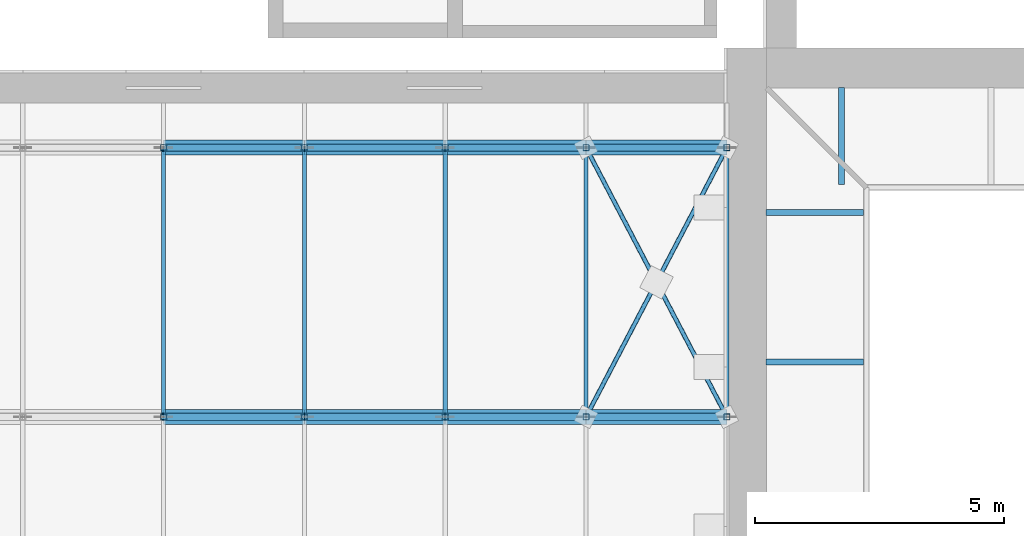
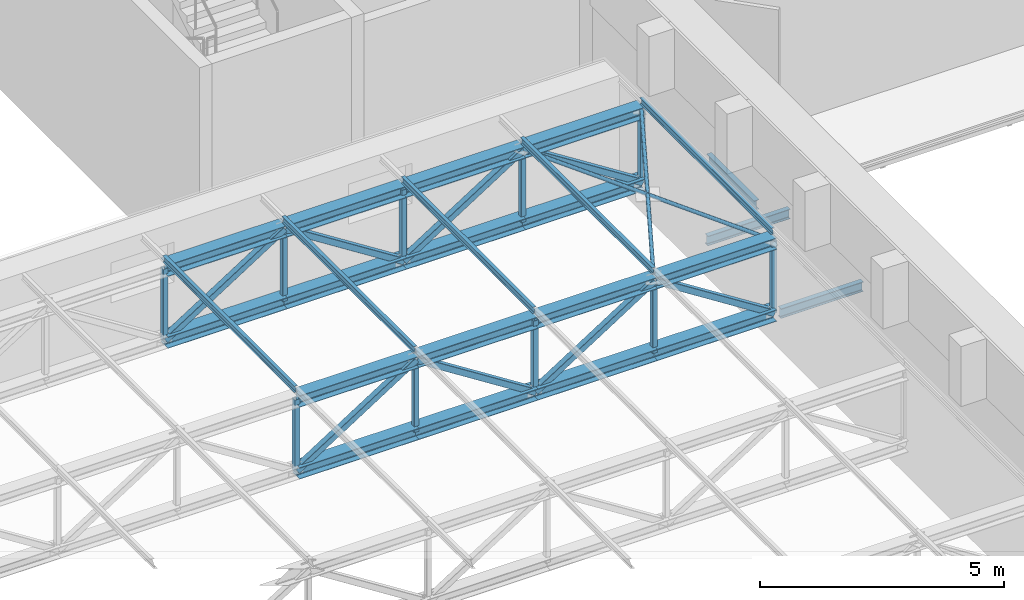
# One storey, part 37 of 132: 45 members.
"""IFC4 building model written with IfcOpenShell, lengths in metres."""

import ifcopenshell
import ifcopenshell.guid

model = None  # the IFC model being written
_history = None  # IfcOwnerHistory: only IFC2X3 demands one
_inside = {}  # id of a spatial element -> (the spatial element, [elements in it])
_under = {}  # id of a project, library or spatial element -> (it, [spatial elements below it])
_declared = {}  # id of a project -> (the project, [libraries it declares])
_typed = {}  # id of a type object -> (the type object, [elements of that type])
_made_of = {}  # id of a material, layer set ... -> (it, [elements and type objects made of it])


def new_model(schema):
    """Start an empty IFC model of exactly this schema.

    Asked for "IFC4X3", IfcOpenShell would pick the latest addendum, in which some entities
    have other attributes; the version numbers below select the first issue.
    IFC2X3 requires an IfcOwnerHistory on every rooted entity: one is made here for all.
    """
    global model, _history
    if schema == "IFC4X3":
        model = ifcopenshell.file(schema_version=(4, 3, 0, 0))
    else:
        model = ifcopenshell.file(schema=schema)
    _inside.clear()
    _under.clear()
    _declared.clear()
    _typed.clear()
    _made_of.clear()
    _history = None
    if model.schema == "IFC2X3":
        org = make("IfcOrganization", Name="unknown")
        user = make(
            "IfcPersonAndOrganization",
            ThePerson=make("IfcPerson", FamilyName="unknown"),
            TheOrganization=org,
        )
        app = make(
            "IfcApplication",
            ApplicationDeveloper=org,
            Version="unknown",
            ApplicationFullName="unknown",
            ApplicationIdentifier="unknown",
        )
        _history = make(
            "IfcOwnerHistory",
            OwningUser=user,
            OwningApplication=app,
            ChangeAction="ADDED",
            CreationDate=0,
        )
    return model


def make(cls, **values):
    """One entity of the class cls with the attributes given. An attribute that is None is left unset."""
    return model.create_entity(
        cls, **{name: value for name, value in values.items() if value is not None}
    )


def rooted(cls, **values):
    """An entity with a GlobalId (a new one), such as an element, a storey or a relation."""
    return make(cls, GlobalId=ifcopenshell.guid.new(), OwnerHistory=_history, **values)


def si_unit(unit_type, name, prefix=None):
    """IfcSIUnit, for example si_unit("LENGTHUNIT", "METRE", prefix="MILLI")."""
    return make("IfcSIUnit", UnitType=unit_type, Prefix=prefix, Name=name)


def assignment(units):
    """IfcUnitAssignment: the units of a project."""
    return None if units is None else make("IfcUnitAssignment", Units=units)


def point(xyz):
    """IfcCartesianPoint."""
    return None if xyz is None else make("IfcCartesianPoint", Coordinates=xyz)


def direction(xyz):
    """IfcDirection."""
    return None if xyz is None else make("IfcDirection", DirectionRatios=xyz)


def frame(location, z_axis=None, x_axis=None):
    """IfcAxis2Placement3D, a coordinate frame: its origin and axes. An axis left out is left unset."""
    return make(
        "IfcAxis2Placement3D",
        Location=point(location),
        Axis=direction(z_axis),
        RefDirection=direction(x_axis),
    )


def frame_2d(location, x_axis=None):
    """IfcAxis2Placement2D, a coordinate frame in the plane: its origin and x axis."""
    return make(
        "IfcAxis2Placement2D", Location=point(location), RefDirection=direction(x_axis)
    )


def origin():
    """The frame at (0, 0, 0) with its axes left unset."""
    return frame((0.0, 0.0, 0.0))


def origin_2d():
    """The frame at (0, 0) in the plane with its x axis left unset."""
    return frame_2d((0.0, 0.0))


def place(relative_to, where):
    """IfcLocalPlacement: puts the frame where relative to a parent placement (None: the world)."""
    return make(
        "IfcLocalPlacement", PlacementRelTo=relative_to, RelativePlacement=where
    )


def context(
    kind, dimensions, precision=None, world=None, true_north=None, identifier=None
):
    """IfcGeometricRepresentationContext, for example the 3D "Model" context."""
    return make(
        "IfcGeometricRepresentationContext",
        ContextIdentifier=identifier,
        ContextType=kind,
        CoordinateSpaceDimension=dimensions,
        Precision=precision,
        WorldCoordinateSystem=world,
        TrueNorth=true_north,
    )


def subcontext(parent, identifier, kind, view, scale=None):
    """IfcGeometricRepresentationSubContext, for example "Body" below "Model"."""
    return make(
        "IfcGeometricRepresentationSubContext",
        ContextIdentifier=identifier,
        ContextType=kind,
        ParentContext=parent,
        TargetScale=scale,
        TargetView=view,
    )


def project(units=None, contexts=None):
    """IfcProject with its units and contexts."""
    return rooted(
        "IfcProject",
        Name="project",
        RepresentationContexts=contexts,
        UnitsInContext=assignment(units),
    )


def spatial(cls, under=None, at=None, **own):
    """A site, building, storey or space (cls), placed at a placement, below another one or the project."""
    s = rooted(cls, ObjectPlacement=at, **own)
    if under is not None:
        _under.setdefault(under.id(), (under, []))[1].append(s)
    return s


def profile(cls, at=None, kind="AREA", **sizes):
    """A parametric profile (cls). Its sizes go by their IFC names, for example OverallWidth=200.0."""
    return make(cls, ProfileType=kind, Position=at, **sizes)


def hollow_rectangle(**sizes):
    """IfcRectangleHollowProfileDef."""
    return profile("IfcRectangleHollowProfileDef", **sizes)


def hollow_circle(**sizes):
    """IfcCircleHollowProfileDef."""
    return profile("IfcCircleHollowProfileDef", **sizes)


def i_section(**sizes):
    """IfcIShapeProfileDef."""
    return profile("IfcIShapeProfileDef", **sizes)


def extrude(swept, where, along, depth):
    """IfcExtrudedAreaSolid: the profile swept, set in the frame where, extruded along a direction by depth."""
    return make(
        "IfcExtrudedAreaSolid",
        SweptArea=swept,
        Position=where,
        ExtrudedDirection=direction(along),
        Depth=depth,
    )


def shape(context_of_items, identifier, shape_type, items):
    """IfcShapeRepresentation: the items that make up one representation, for example the "Body"."""
    return make(
        "IfcShapeRepresentation",
        ContextOfItems=context_of_items,
        RepresentationIdentifier=identifier,
        RepresentationType=shape_type,
        Items=items,
    )


def material(Name=None, Category=None):
    """IfcMaterial."""
    return make("IfcMaterial", Name=Name, Category=Category)


def material_profile(
    of_material, cross_section, Name=None, Category=None, Priority=None
):
    """IfcMaterialProfile: a cross section and its material."""
    return make(
        "IfcMaterialProfile",
        Name=Name,
        Material=of_material,
        Profile=cross_section,
        Priority=Priority,
        Category=Category,
    )


def profile_set(profiles, Name=None, composite=None):
    """IfcMaterialProfileSet."""
    return make(
        "IfcMaterialProfileSet",
        Name=Name,
        MaterialProfiles=profiles,
        CompositeProfile=composite,
    )


def made_of(thing, what):
    """Note that an element or type object is made of a material, layer set ...; save() writes the relation."""
    if what is not None:
        _made_of.setdefault(what.id(), (what, []))[1].append(thing)
    return thing


def type_object(cls, material=None, **own):
    """A type object (cls), such as IfcWallType, which elements share."""
    return made_of(rooted(cls, **own), material)


def element(
    cls,
    number,
    at=None,
    inside=None,
    cuts=None,
    type_object=None,
    material=None,
    context=None,
    identifier="Body",
    shape_type=None,
    held_by="IfcProductDefinitionShape",
    body=None,
    shapes=None,
    **own,
):
    """One element of the class cls, such as IfcWall. Its Tag is "e" and its number.

    at: its placement. inside: the storey or other place that contains it. cuts: it is an
    opening in that element (IfcRelVoidsElement). A single representation is given by context,
    identifier, shape_type and body (its items); several are given by shapes. held_by: the class
    of the entity that holds the representations. save() writes the other relations.
    """
    e = rooted(cls, Tag="e%d" % number, ObjectPlacement=at, **own)
    if body is not None:
        shapes = [shape(context, identifier, shape_type, body)]
    if shapes is not None:
        e.Representation = make(held_by, Representations=shapes)
    if inside is not None:
        _inside.setdefault(inside.id(), (inside, []))[1].append(e)
    if cuts is not None:
        rooted(
            "IfcRelVoidsElement", RelatingBuildingElement=cuts, RelatedOpeningElement=e
        )
    if type_object is not None:
        _typed.setdefault(type_object.id(), (type_object, []))[1].append(e)
    return made_of(e, material)


def aggregate(whole, parts):
    """IfcRelAggregates: a whole, such as a stair, and the parts it consists of."""
    return rooted("IfcRelAggregates", RelatingObject=whole, RelatedObjects=parts)


def save(model, path):
    """Write the relations noted so far, then the file.

    IfcRelAggregates (storeys below a building ...), IfcRelContainedInSpatialStructure (elements
    in a storey), IfcRelDefinesByType, IfcRelAssociatesMaterial and IfcRelDeclares: one each for
    every whole, place, type object, material and project.
    """
    for whole, parts in _under.values():
        aggregate(whole, parts)
    for where, things in _inside.values():
        rooted(
            "IfcRelContainedInSpatialStructure",
            RelatedElements=things,
            RelatingStructure=where,
        )
    for kind, things in _typed.values():
        rooted("IfcRelDefinesByType", RelatedObjects=things, RelatingType=kind)
    for what, things in _made_of.values():
        rooted("IfcRelAssociatesMaterial", RelatedObjects=things, RelatingMaterial=what)
    for by, libraries in _declared.values():
        rooted("IfcRelDeclares", RelatingContext=by, RelatedDefinitions=libraries)
    model.write(path)


model = new_model("IFC4")

# Units and contexts
model_context = context("Model", 3, precision=1e-05, world=origin(), true_north=direction((0.0, 1.0)))
body_context = subcontext(model_context, "Body", "Model", "MODEL_VIEW")
ifc_project = project(units=[si_unit("LENGTHUNIT", "METRE"), si_unit("AREAUNIT", "SQUARE_METRE"), si_unit("VOLUMEUNIT", "CUBIC_METRE"), si_unit("PLANEANGLEUNIT", "RADIAN"), si_unit("MASSUNIT", "GRAM", prefix="KILO")], contexts=[model_context])

# Site, building, storey
site_placement = place(None, origin())
site = spatial("IfcSite", under=ifc_project, at=site_placement, CompositionType="ELEMENT")
building_placement = place(site_placement, origin())
building = spatial("IfcBuilding", under=site, at=building_placement, Name="Lunette Opera House", CompositionType="ELEMENT")
storey_placement = place(building_placement, frame((0.0, 0.0, 17.0)))
storey = spatial("IfcBuildingStorey", under=building, at=storey_placement, Name="L03", CompositionType="ELEMENT", Elevation=17.0)

# Members
ifc_material_1 = material(Name="Steel S355", Category="steel")
ifc_material_profile_1 = material_profile(ifc_material_1, hollow_circle(Radius=0.04443359375, WallThickness=0.00390625, at=origin_2d()), Name="CHS 88.9X4")
ifc_profile_set_1 = profile_set([ifc_material_profile_1], Name="Steel S355")
member_type_1 = type_object("IfcMemberType", Name="BRACING CHS 88.9X4", PredefinedType="BRACE", material=ifc_profile_set_1)
member_1_placement = place(storey_placement, frame((80.375, 113.39990234375, 2.574951171875), z_axis=(0.463530915667, 0.886080747009, 0.0), x_axis=(-0.886080747009, 0.463530915667, 0.0)))
element("IfcMember", 1, at=member_1_placement, inside=storey, type_object=member_type_1, Name="mem-ST-L03-SW-TR-BRQ4P8A", PredefinedType="BRACE", context=body_context, shape_type="SweptSolid", body=[
    extrude(hollow_circle(Radius=0.04443359375, WallThickness=0.00390625, at=origin_2d()), origin(), (0.0, 0.0, 1.0), 6.094482421875),
])
member_2_placement = place(storey_placement, frame((83.199951171875, 113.39990234375, 2.574951171875), z_axis=(-0.463357181016, 0.886171610243, 0.0), x_axis=(-0.886171610243, -0.463357181016, 0.0)))
element("IfcMember", 2, at=member_2_placement, inside=storey, type_object=member_type_1, Name="mem-ST-L03-SW-TR-BRQ4P8B segment 1", PredefinedType="BRACE", context=body_context, shape_type="SweptSolid", body=[
    extrude(hollow_circle(Radius=0.04443359375, WallThickness=0.00390625, at=origin_2d()), origin(), (0.0, 0.0, 1.0), 3.047119140625),
])
member_3_placement = place(storey_placement, frame((81.7880859375, 116.10009765625, 2.574951171875), z_axis=(-0.463704612578, 0.885989860142, 0.0), x_axis=(-0.885989860142, -0.463704612578, 0.0)))
element("IfcMember", 3, at=member_3_placement, inside=storey, type_object=member_type_1, Name="mem-ST-L03-SW-TR-BRQ4P8B segment 2", PredefinedType="BRACE", context=body_context, shape_type="SweptSolid", body=[
    extrude(hollow_circle(Radius=0.04443359375, WallThickness=0.00390625, at=origin_2d()), origin(), (0.0, 0.0, 1.0), 3.04736328125),
])
ifc_material_2 = material(Name="Steel S355", Category="steel")
ifc_material_profile_2 = material_profile(ifc_material_2, i_section(OverallWidth=0.1201171875, OverallDepth=0.239990234375, WebThickness=0.006103515625, FlangeThickness=0.009765625, FilletRadius=0.014892578125, at=origin_2d()), Name="IPE 240")
ifc_profile_set_2 = profile_set([ifc_material_profile_2], Name="Steel S355")
member_type_2 = type_object("IfcMemberType", Name="BRACKET IPE 240", PredefinedType="MEMBER", material=ifc_profile_set_2)
for number, where, z_axis, x_axis, name in (
    (4, (85.5, 120.010009765625, -0.179931640625), (0.0, -1.0, 0.0), (1.0, 0.0, 0.0), "mem-ST-L03-FG2-BKN855-1200"),
    (5, (83.989990234375, 114.5, -0.179931640625), (1.0, 0.0, 0.0), (0.0, 1.0, 0.0), "mem-ST-L03-FG2-BKW839-1145"),
    (6, (83.989990234375, 117.5, -0.179931640625), (1.0, 0.0, 0.0), (0.0, 1.0, 0.0), "mem-ST-L03-FG2-BKW839-1175"),
):
    element("IfcMember", number, at=place(storey_placement, frame(where, z_axis=z_axis, x_axis=x_axis)), inside=storey, type_object=member_type_2, Name=name, PredefinedType="MEMBER", context=body_context, shape_type="SweptSolid", body=[
        extrude(i_section(OverallWidth=0.1201171875, OverallDepth=0.239990234375, WebThickness=0.006103515625, FlangeThickness=0.009765625, FilletRadius=0.014892578125, at=origin_2d()), origin(), (0.0, 0.0, 1.0), 1.949951171875),
    ])
ifc_material_3 = material(Name="Steel S355", Category="steel")
ifc_material_profile_3 = material_profile(ifc_material_3, i_section(OverallWidth=0.300048828125, OverallDepth=0.2900390625, WebThickness=0.008544921875, FlangeThickness=0.013916015625, FilletRadius=0.027099609375, at=origin_2d()), Name="HEA 300")
ifc_profile_set_3 = profile_set([ifc_material_profile_3], Name="Steel S355")
member_type_3 = type_object("IfcMemberType", Name="CHORD HEA 300", PredefinedType="CHORD", material=ifc_profile_set_3)
for number, where, z_axis, x_axis, name in (
    (7, (71.89990234375, 113.39990234375, 2.574951171875), (1.0, 0.0, 0.0), (0.0, 1.0, 0.0), "mem-ST-L03-SW-TR04-TC5"),
    (8, (71.89990234375, 113.39990234375, 0.77490234375), (1.0, 0.0, 0.0), (0.0, 1.0, 0.0), "mem-ST-L03-SW-TR04-BC5"),
):
    element("IfcMember", number, at=place(storey_placement, frame(where, z_axis=z_axis, x_axis=x_axis)), inside=storey, type_object=member_type_3, Name=name, PredefinedType="CHORD", context=body_context, shape_type="SweptSolid", body=[
        extrude(i_section(OverallWidth=0.300048828125, OverallDepth=0.2900390625, WebThickness=0.008544921875, FlangeThickness=0.013916015625, FilletRadius=0.027099609375, at=origin_2d()), origin(), (0.0, 0.0, 1.0), 2.8251953125),
    ])
for number, where, z_axis, x_axis, name in (
    (9, (74.72509765625, 113.39990234375, 2.574951171875), (1.0, 0.0, 0.0), (0.0, 1.0, 0.0), "mem-ST-L03-SW-TR04-TC6"),
    (10, (74.72509765625, 113.39990234375, 0.77490234375), (1.0, 0.0, 0.0), (0.0, 1.0, 0.0), "mem-ST-L03-SW-TR04-BC6"),
    (11, (77.550048828125, 113.39990234375, 2.574951171875), (1.0, 0.0, 0.0), (0.0, 1.0, 0.0), "mem-ST-L03-SW-TR04-TC7"),
    (12, (77.550048828125, 113.39990234375, 0.77490234375), (1.0, 0.0, 0.0), (0.0, 1.0, 0.0), "mem-ST-L03-SW-TR04-BC7"),
    (13, (80.375, 113.39990234375, 2.574951171875), (1.0, 0.0, 0.0), (0.0, 1.0, 0.0), "mem-ST-L03-SW-TR04-TC8"),
    (14, (80.375, 113.39990234375, 0.77490234375), (1.0, 0.0, 0.0), (0.0, 1.0, 0.0), "mem-ST-L03-SW-TR04-BC8"),
):
    element("IfcMember", number, at=place(storey_placement, frame(where, z_axis=z_axis, x_axis=x_axis)), inside=storey, type_object=member_type_3, Name=name, PredefinedType="CHORD", context=body_context, shape_type="SweptSolid", body=[
        extrude(i_section(OverallWidth=0.300048828125, OverallDepth=0.2900390625, WebThickness=0.008544921875, FlangeThickness=0.013916015625, FilletRadius=0.027099609375, at=origin_2d()), origin(), (0.0, 0.0, 1.0), 2.824951171875),
    ])
for number, where, z_axis, x_axis, name in (
    (15, (71.89990234375, 118.800048828125, 2.574951171875), (1.0, 0.0, 0.0), (0.0, 1.0, 0.0), "mem-ST-L03-SW-TR05-TC5"),
    (16, (71.89990234375, 118.800048828125, 0.77490234375), (1.0, 0.0, 0.0), (0.0, 1.0, 0.0), "mem-ST-L03-SW-TR05-BC5"),
):
    element("IfcMember", number, at=place(storey_placement, frame(where, z_axis=z_axis, x_axis=x_axis)), inside=storey, type_object=member_type_3, Name=name, PredefinedType="CHORD", context=body_context, shape_type="SweptSolid", body=[
        extrude(i_section(OverallWidth=0.300048828125, OverallDepth=0.2900390625, WebThickness=0.008544921875, FlangeThickness=0.013916015625, FilletRadius=0.027099609375, at=origin_2d()), origin(), (0.0, 0.0, 1.0), 2.8251953125),
    ])
for number, where, z_axis, x_axis, name in (
    (17, (74.72509765625, 118.800048828125, 2.574951171875), (1.0, 0.0, 0.0), (0.0, 1.0, 0.0), "mem-ST-L03-SW-TR05-TC6"),
    (18, (74.72509765625, 118.800048828125, 0.77490234375), (1.0, 0.0, 0.0), (0.0, 1.0, 0.0), "mem-ST-L03-SW-TR05-BC6"),
    (19, (77.550048828125, 118.800048828125, 2.574951171875), (1.0, 0.0, 0.0), (0.0, 1.0, 0.0), "mem-ST-L03-SW-TR05-TC7"),
    (20, (77.550048828125, 118.800048828125, 0.77490234375), (1.0, 0.0, 0.0), (0.0, 1.0, 0.0), "mem-ST-L03-SW-TR05-BC7"),
    (21, (80.375, 118.800048828125, 2.574951171875), (1.0, 0.0, 0.0), (0.0, 1.0, 0.0), "mem-ST-L03-SW-TR05-TC8"),
    (22, (80.375, 118.800048828125, 0.77490234375), (1.0, 0.0, 0.0), (0.0, 1.0, 0.0), "mem-ST-L03-SW-TR05-BC8"),
):
    element("IfcMember", number, at=place(storey_placement, frame(where, z_axis=z_axis, x_axis=x_axis)), inside=storey, type_object=member_type_3, Name=name, PredefinedType="CHORD", context=body_context, shape_type="SweptSolid", body=[
        extrude(i_section(OverallWidth=0.300048828125, OverallDepth=0.2900390625, WebThickness=0.008544921875, FlangeThickness=0.013916015625, FilletRadius=0.027099609375, at=origin_2d()), origin(), (0.0, 0.0, 1.0), 2.824951171875),
    ])
ifc_material_4 = material(Name="Steel S355", Category="steel")
ifc_material_profile_4 = material_profile(ifc_material_4, hollow_rectangle(XDim=0.14990234375, YDim=0.14990234375, WallThickness=0.006103515625, InnerFilletRadius=0.006103515625, OuterFilletRadius=0.011962890625, at=origin_2d()), Name="RHS 150X150X6")
ifc_profile_set_4 = profile_set([ifc_material_profile_4], Name="Steel S355")
member_type_4 = type_object("IfcMemberType", Name="DIAGONAL RHS 150X150X6", PredefinedType="BRACE", material=ifc_profile_set_4)
member_4_placement = place(storey_placement, frame((71.89990234375, 113.39990234375, 0.77490234375), z_axis=(0.843364266472, 0.0, 0.537342268985), x_axis=(0.0, 1.0, 0.0)))
element("IfcMember", 23, at=member_4_placement, inside=storey, type_object=member_type_4, Name="mem-ST-L03-SW-TR04-TD5", PredefinedType="BRACE", context=body_context, shape_type="SweptSolid", body=[
    extrude(hollow_rectangle(XDim=0.14990234375, YDim=0.14990234375, WallThickness=0.006103515625, InnerFilletRadius=0.006103515625, OuterFilletRadius=0.011962890625, at=origin_2d()), origin(), (0.0, 0.0, 1.0), 3.349853515625),
])
for number, where, z_axis, x_axis, name in (
    (24, (74.72509765625, 113.39990234375, 2.574951171875), (0.843343221477, 0.0, -0.537375297896), (0.0, 1.0, 0.0), "mem-ST-L03-SW-TR04-TD6"),
    (25, (77.550048828125, 113.39990234375, 0.77490234375), (0.843343221477, 0.0, 0.537375297896), (0.0, 1.0, 0.0), "mem-ST-L03-SW-TR04-TD7"),
    (26, (80.375, 113.39990234375, 2.574951171875), (0.843343221477, 0.0, -0.537375297896), (0.0, 1.0, 0.0), "mem-ST-L03-SW-TR04-TD8"),
):
    element("IfcMember", number, at=place(storey_placement, frame(where, z_axis=z_axis, x_axis=x_axis)), inside=storey, type_object=member_type_4, Name=name, PredefinedType="BRACE", context=body_context, shape_type="SweptSolid", body=[
        extrude(hollow_rectangle(XDim=0.14990234375, YDim=0.14990234375, WallThickness=0.006103515625, InnerFilletRadius=0.006103515625, OuterFilletRadius=0.011962890625, at=origin_2d()), origin(), (0.0, 0.0, 1.0), 3.349609375),
    ])
member_5_placement = place(storey_placement, frame((71.89990234375, 118.800048828125, 0.77490234375), z_axis=(0.843364266472, 0.0, 0.537342268985), x_axis=(0.0, 1.0, 0.0)))
element("IfcMember", 27, at=member_5_placement, inside=storey, type_object=member_type_4, Name="mem-ST-L03-SW-TR05-TD5", PredefinedType="BRACE", context=body_context, shape_type="SweptSolid", body=[
    extrude(hollow_rectangle(XDim=0.14990234375, YDim=0.14990234375, WallThickness=0.006103515625, InnerFilletRadius=0.006103515625, OuterFilletRadius=0.011962890625, at=origin_2d()), origin(), (0.0, 0.0, 1.0), 3.349853515625),
])
for number, where, z_axis, x_axis, name in (
    (28, (74.72509765625, 118.800048828125, 2.574951171875), (0.843343221477, 0.0, -0.537375297896), (0.0, 1.0, 0.0), "mem-ST-L03-SW-TR05-TD6"),
    (29, (77.550048828125, 118.800048828125, 0.77490234375), (0.843343221477, 0.0, 0.537375297896), (0.0, 1.0, 0.0), "mem-ST-L03-SW-TR05-TD7"),
    (30, (80.375, 118.800048828125, 2.574951171875), (0.843343221477, 0.0, -0.537375297896), (0.0, 1.0, 0.0), "mem-ST-L03-SW-TR05-TD8"),
):
    element("IfcMember", number, at=place(storey_placement, frame(where, z_axis=z_axis, x_axis=x_axis)), inside=storey, type_object=member_type_4, Name=name, PredefinedType="BRACE", context=body_context, shape_type="SweptSolid", body=[
        extrude(hollow_rectangle(XDim=0.14990234375, YDim=0.14990234375, WallThickness=0.006103515625, InnerFilletRadius=0.006103515625, OuterFilletRadius=0.011962890625, at=origin_2d()), origin(), (0.0, 0.0, 1.0), 3.349609375),
    ])
ifc_material_5 = material(Name="Steel S355", Category="steel")
ifc_material_profile_5 = material_profile(ifc_material_5, i_section(OverallWidth=0.08203125, OverallDepth=0.159912109375, WebThickness=0.0048828125, FlangeThickness=0.00732421875, FilletRadius=0.009033203125, at=origin_2d()), Name="IPE 160")
ifc_profile_set_5 = profile_set([ifc_material_profile_5], Name="Steel S355")
member_type_5 = type_object("IfcMemberType", Name="PURLIN IPE 160", PredefinedType="PURLIN", material=ifc_profile_set_5)
for number, where, z_axis, x_axis, name in (
    (31, (71.89990234375, 113.39990234375, 2.800048828125), (0.0, 1.0, 0.0), (-1.0, 0.0, 0.0), "mem-ST-L03-SW-TR-PU5-5"),
    (32, (74.72509765625, 113.39990234375, 2.800048828125), (0.0, 1.0, 0.0), (-1.0, 0.0, 0.0), "mem-ST-L03-SW-TR-PU6-5"),
    (33, (77.550048828125, 113.39990234375, 2.800048828125), (0.0, 1.0, 0.0), (-1.0, 0.0, 0.0), "mem-ST-L03-SW-TR-PU7-5"),
    (34, (80.375, 113.39990234375, 2.800048828125), (0.0, 1.0, 0.0), (-1.0, 0.0, 0.0), "mem-ST-L03-SW-TR-PU8-5"),
    (35, (83.199951171875, 113.39990234375, 2.800048828125), (0.0, 1.0, 0.0), (-1.0, 0.0, 0.0), "mem-ST-L03-SW-TR-PU9-5"),
):
    element("IfcMember", number, at=place(storey_placement, frame(where, z_axis=z_axis, x_axis=x_axis)), inside=storey, type_object=member_type_5, Name=name, PredefinedType="PURLIN", context=body_context, shape_type="SweptSolid", body=[
        extrude(i_section(OverallWidth=0.08203125, OverallDepth=0.159912109375, WebThickness=0.0048828125, FlangeThickness=0.00732421875, FilletRadius=0.009033203125, at=origin_2d()), origin(), (0.0, 0.0, 1.0), 5.400146484375),
    ])
ifc_material_6 = material(Name="Steel S355", Category="steel")
ifc_material_profile_6 = material_profile(ifc_material_6, hollow_rectangle(XDim=0.1201171875, YDim=0.1201171875, WallThickness=0.0048828125, InnerFilletRadius=0.0048828125, OuterFilletRadius=0.010009765625, at=origin_2d()), Name="RHS 120X120X5")
ifc_profile_set_6 = profile_set([ifc_material_profile_6], Name="Steel S355")
member_type_6 = type_object("IfcMemberType", Name="VERTICAL RHS 120X120X5", PredefinedType="POST", material=ifc_profile_set_6)
for number, where, z_axis, x_axis, name in (
    (36, (71.89990234375, 113.39990234375, 0.77490234375), (0.0, 0.0, 1.0), (1.0, 0.0, 0.0), "mem-ST-L03-SW-TR04-TV5"),
    (37, (74.72509765625, 113.39990234375, 0.77490234375), (0.0, 0.0, 1.0), (1.0, 0.0, 0.0), "mem-ST-L03-SW-TR04-TV6"),
    (38, (77.550048828125, 113.39990234375, 0.77490234375), (0.0, 0.0, 1.0), (1.0, 0.0, 0.0), "mem-ST-L03-SW-TR04-TV7"),
    (39, (80.375, 113.39990234375, 0.77490234375), (0.0, 0.0, 1.0), (1.0, 0.0, 0.0), "mem-ST-L03-SW-TR04-TV8"),
    (40, (83.199951171875, 113.39990234375, 0.77490234375), (0.0, 0.0, 1.0), (1.0, 0.0, 0.0), "mem-ST-L03-SW-TR04-TV9"),
    (41, (71.89990234375, 118.800048828125, 0.77490234375), (0.0, 0.0, 1.0), (1.0, 0.0, 0.0), "mem-ST-L03-SW-TR05-TV5"),
    (42, (74.72509765625, 118.800048828125, 0.77490234375), (0.0, 0.0, 1.0), (1.0, 0.0, 0.0), "mem-ST-L03-SW-TR05-TV6"),
    (43, (77.550048828125, 118.800048828125, 0.77490234375), (0.0, 0.0, 1.0), (1.0, 0.0, 0.0), "mem-ST-L03-SW-TR05-TV7"),
    (44, (80.375, 118.800048828125, 0.77490234375), (0.0, 0.0, 1.0), (1.0, 0.0, 0.0), "mem-ST-L03-SW-TR05-TV8"),
    (45, (83.199951171875, 118.800048828125, 0.77490234375), (0.0, 0.0, 1.0), (1.0, 0.0, 0.0), "mem-ST-L03-SW-TR05-TV9"),
):
    element("IfcMember", number, at=place(storey_placement, frame(where, z_axis=z_axis, x_axis=x_axis)), inside=storey, type_object=member_type_6, Name=name, PredefinedType="POST", context=body_context, shape_type="SweptSolid", body=[
        extrude(hollow_rectangle(XDim=0.1201171875, YDim=0.1201171875, WallThickness=0.0048828125, InnerFilletRadius=0.0048828125, OuterFilletRadius=0.010009765625, at=origin_2d()), origin(), (0.0, 0.0, 1.0), 1.800048828125),
    ])

save(model, "model.ifc")
